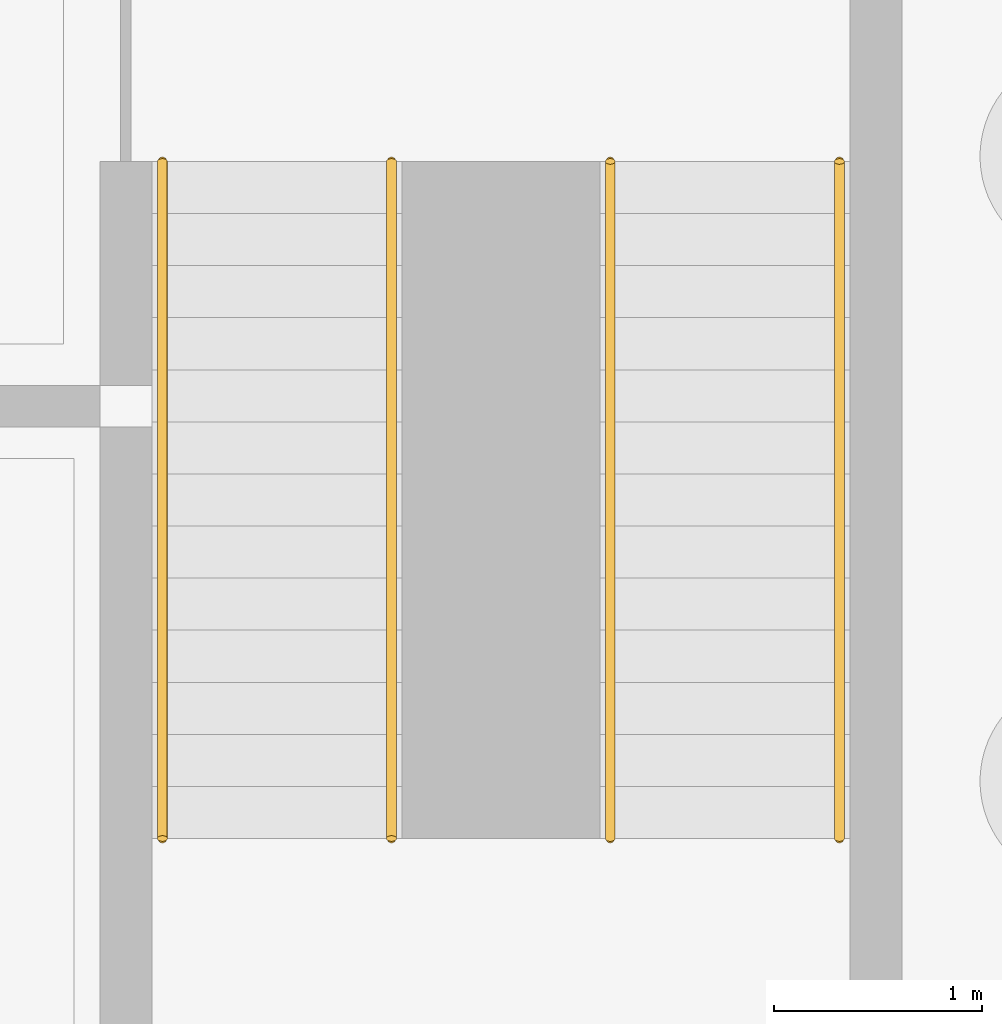
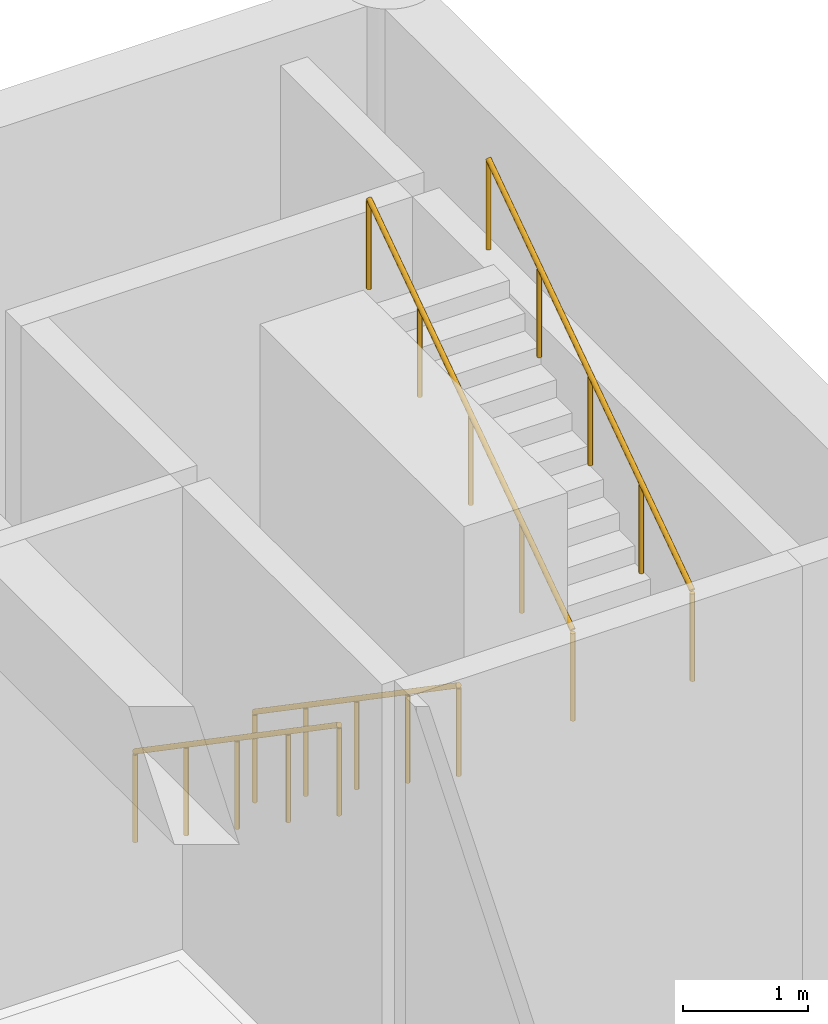
# One storey, part 22 of 24: 4 railings.
"""IFC4 building model written with IfcOpenShell, lengths in metres."""

from ifc_helpers import new_model, si_unit, direction, frame, origin, origin_2d, place, context, subcontext, project, spatial, circle, extrude, material, type_object, element, save


model = new_model("IFC4")

# Units and contexts
model_context = context("Model", 3, precision=1e-05, world=origin(), true_north=direction((0.0, 1.0)))
body_context = subcontext(model_context, "Body", "Model", "MODEL_VIEW")
ifc_project = project(units=[si_unit("LENGTHUNIT", "METRE"), si_unit("AREAUNIT", "SQUARE_METRE"), si_unit("VOLUMEUNIT", "CUBIC_METRE"), si_unit("PLANEANGLEUNIT", "RADIAN"), si_unit("MASSUNIT", "GRAM", prefix="KILO")], contexts=[model_context])

# Site, building, storey
site_placement = place(None, origin())
site = spatial("IfcSite", under=ifc_project, at=site_placement, CompositionType="ELEMENT")
building_placement = place(site_placement, origin())
building = spatial("IfcBuilding", under=site, at=building_placement, Name="Fogon Plaza Fire Station and Headquarters Tower", CompositionType="ELEMENT")
storey_placement = place(building_placement, frame((0.0, 0.0, -4.800048828125)))
storey = spatial("IfcBuildingStorey", under=building, at=storey_placement, Name="B1", CompositionType="ELEMENT", Elevation=-4.800048828125)

# Railings
ifc_material = material(Name="Stainless Steel", Category="steel")
railing_type = type_object("IfcRailingType", Name="Stair Handrail Steel 900", PredefinedType="HANDRAIL", material=ifc_material)
for number, where, name in (
    (1, (85.175048828125, 53.97509765625, 0.17138671875), "rail-ST7-B1-1"),
    (2, (86.27490234375, 53.97509765625, 0.17138671875), "rail-ST7-B1-2"),
):
    element("IfcRailing", number, at=place(storey_placement, frame(where)), inside=storey, type_object=railing_type, Name=name, PredefinedType="HANDRAIL", context=body_context, shape_type="SweptSolid", body=[
        extrude(circle(Radius=0.02392578125, at=origin_2d()), frame((0.0, 0.0, 0.8759765625), z_axis=(0.0, -0.824706560827, 0.565560861914), x_axis=(1.0, 0.0, 0.0)), (0.0, 0.0, 1.0), 3.940673828125),
        extrude(circle(Radius=0.02099609375, at=origin_2d()), origin(), (0.0, 0.0, 1.0), 0.851806640625),
        extrude(circle(Radius=0.02099609375, at=origin_2d()), frame((0.0, -0.8125, 0.55712890625)), (0.0, 0.0, 1.0), 0.851806640625),
        extrude(circle(Radius=0.02099609375, at=origin_2d()), frame((0.0, -1.625, 1.1142578125)), (0.0, 0.0, 1.0), 0.851806640625),
        extrude(circle(Radius=0.02099609375, at=origin_2d()), frame((0.0, -2.4375, 1.671630859375)), (0.0, 0.0, 1.0), 0.851806640625),
        extrude(circle(Radius=0.02099609375, at=origin_2d()), frame((0.0, -3.25, 2.228759765625)), (0.0, 0.0, 1.0), 0.851806640625),
    ])
for number, where, name in (
    (3, (87.324951171875, 50.72509765625, 2.571533203125), "rail-ST7-B1-3"),
    (4, (88.425048828125, 50.72509765625, 2.571533203125), "rail-ST7-B1-4"),
):
    element("IfcRailing", number, at=place(storey_placement, frame(where)), inside=storey, type_object=railing_type, Name=name, PredefinedType="HANDRAIL", context=body_context, shape_type="SweptSolid", body=[
        extrude(circle(Radius=0.02392578125, at=origin_2d()), frame((0.0, 0.0, 0.8759765625), z_axis=(0.0, 0.824735456578, 0.565518723531), x_axis=(-1.0, 0.0, 0.0)), (0.0, 0.0, 1.0), 3.940673828125),
        extrude(circle(Radius=0.02099609375, at=origin_2d()), origin(), (0.0, 0.0, 1.0), 0.851806640625),
        extrude(circle(Radius=0.02099609375, at=origin_2d()), frame((0.0, 0.8125, 0.55712890625)), (0.0, 0.0, 1.0), 0.851806640625),
        extrude(circle(Radius=0.02099609375, at=origin_2d()), frame((0.0, 1.625, 1.1142578125)), (0.0, 0.0, 1.0), 0.851806640625),
        extrude(circle(Radius=0.02099609375, at=origin_2d()), frame((0.0, 2.4375, 1.67138671875)), (0.0, 0.0, 1.0), 0.851806640625),
        extrude(circle(Radius=0.02099609375, at=origin_2d()), frame((0.0, 3.25, 2.228515625)), (0.0, 0.0, 1.0), 0.851806640625),
    ])

save(model, "model.ifc")
